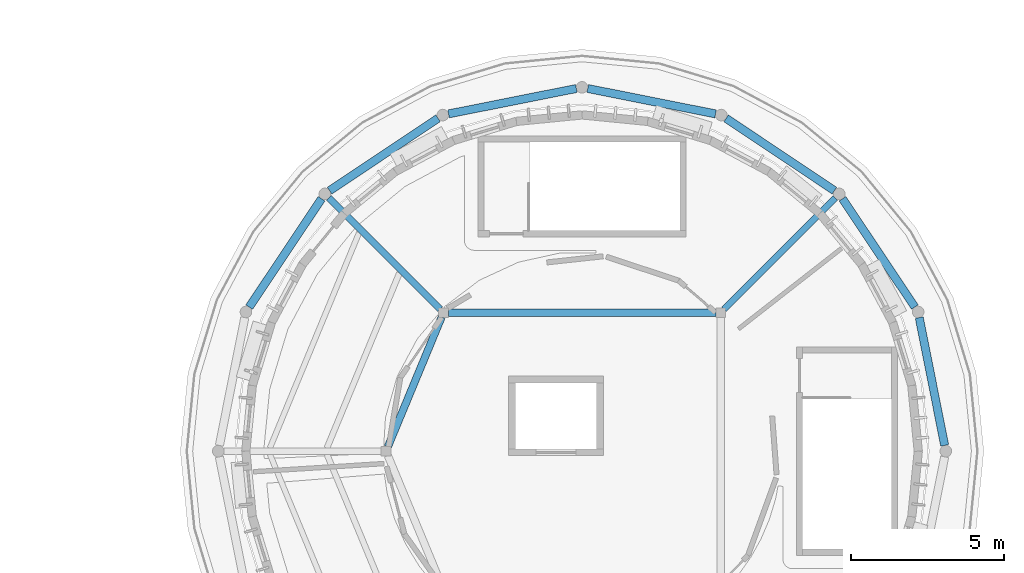
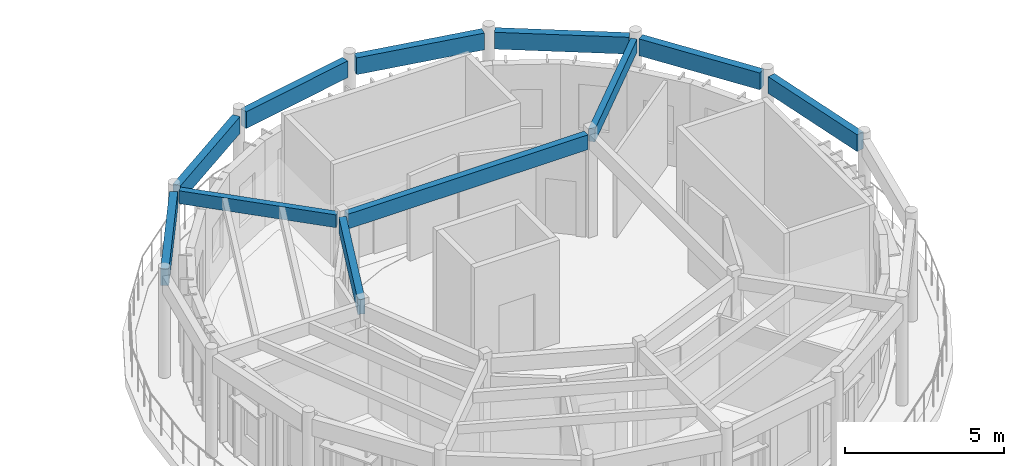
# One storey, part 10 of 37: 11 beams.
"""IFC4 building model written with IfcOpenShell, lengths in metres."""

from ifc_helpers import new_model, si_unit, direction, frame, origin, origin_2d, place, context, subcontext, project, spatial, rectangle, extrude, material, material_profile, profile_set, type_object, element, save


model = new_model("IFC4")

# Units and contexts
model_context = context("Model", 3, precision=1e-05, world=origin(), true_north=direction((0.0, 1.0)))
body_context = subcontext(model_context, "Body", "Model", "MODEL_VIEW")
ifc_project = project(units=[si_unit("LENGTHUNIT", "METRE"), si_unit("AREAUNIT", "SQUARE_METRE"), si_unit("VOLUMEUNIT", "CUBIC_METRE"), si_unit("PLANEANGLEUNIT", "RADIAN"), si_unit("MASSUNIT", "GRAM", prefix="KILO")], contexts=[model_context])

# Site, building, storey
site_placement = place(None, origin())
site = spatial("IfcSite", under=ifc_project, at=site_placement, CompositionType="ELEMENT")
building_placement = place(site_placement, origin())
building = spatial("IfcBuilding", under=site, at=building_placement, Name="Aldenvaro Health Centre", CompositionType="ELEMENT")
storey_placement = place(building_placement, frame((0.0, 0.0, 12.949951171875)))
storey = spatial("IfcBuildingStorey", under=building, at=storey_placement, Name="L03", CompositionType="ELEMENT", Elevation=12.949951171875)

# Beams
ifc_material = material(Name="Glulam GL28h", Category="wood")
ifc_material_profile_1 = material_profile(ifc_material, rectangle(XDim=0.215087890625, YDim=0.493896484375, at=origin_2d()), Name="GL 215x494", Category="wood")
ifc_profile_set_1 = profile_set([ifc_material_profile_1], Name="Glulam GL28h")
beam_type_1 = type_object("IfcBeamType", Name="BM-GL-494", PredefinedType="BEAM", material=ifc_profile_set_1)
for number, where, z_axis, x_axis, name in (
    (1, (159.135986328125, 104.135986328125, 3.713134765625), (0.707106781187, 0.707106781187, 0.0), (-0.707106781187, 0.707106781187, 0.0), "D2 L03 radial beam 01"),
    (2, (149.864013671875, 104.135986328125, 3.713134765625), (-0.707106781187, 0.707106781187, 0.0), (-0.707106781187, -0.707106781187, 0.0), "D2 L03 radial beam 02"),
):
    element("IfcBeam", number, at=place(storey_placement, frame(where, z_axis=z_axis, x_axis=x_axis)), inside=storey, type_object=beam_type_1, Name=name, PredefinedType="BEAM", context=body_context, shape_type="SweptSolid", body=[
        extrude(rectangle(XDim=0.215087890625, YDim=0.493896484375, at=origin_2d()), origin(), (0.0, 0.0, 1.0), 5.1337890625),
    ])
ifc_material_profile_2 = material_profile(ifc_material, rectangle(XDim=0.239990234375, YDim=0.570068359375, at=origin_2d()), Name="GL 240x570", Category="wood")
ifc_profile_set_2 = profile_set([ifc_material_profile_2], Name="Glulam GL28h")
beam_type_2 = type_object("IfcBeamType", Name="BM-GL-570", PredefinedType="BEAM", material=ifc_profile_set_2)
beam_1_placement = place(storey_placement, frame((158.867919921875, 104.02490234375, 3.675048828125), z_axis=(-1.0, 0.0, 0.0), x_axis=(0.0, -1.0, 0.0)))
element("IfcBeam", 3, at=beam_1_placement, inside=storey, type_object=beam_type_2, Name="D2 L03 inner ring beam 01", PredefinedType="BEAM", context=body_context, shape_type="SweptSolid", body=[
    extrude(rectangle(XDim=0.239990234375, YDim=0.570068359375, at=origin_2d()), origin(), (0.0, 0.0, 1.0), 8.73583984375),
])
beam_2_placement = place(storey_placement, frame((149.9150390625, 103.87890625, 3.675048828125), z_axis=(-0.383018349217, -0.923740734277, 0.0), x_axis=(0.923740734277, -0.383018349217, 0.0)))
element("IfcBeam", 4, at=beam_2_placement, inside=storey, type_object=beam_type_2, Name="D2 L03 inner ring beam 02", PredefinedType="BEAM", context=body_context, shape_type="SweptSolid", body=[
    extrude(rectangle(XDim=0.239990234375, YDim=0.570068359375, at=origin_2d()), origin(), (0.0, 0.0, 1.0), 4.582275390625),
])
ifc_material_profile_3 = material_profile(ifc_material, rectangle(XDim=0.264892578125, YDim=0.64599609375, at=origin_2d()), Name="GL 265x646", Category="wood")
ifc_profile_set_3 = profile_set([ifc_material_profile_3], Name="Glulam GL28h")
beam_type_3 = type_object("IfcBeamType", Name="BM-GL-646", PredefinedType="SPANDREL", material=ifc_profile_set_3)
beam_3_placement = place(storey_placement, frame((166.343017578125, 99.68603515625, 3.636962890625), z_axis=(-0.195045913516, 0.980794112758, 0.0), x_axis=(-0.980794112758, -0.195045913516, 0.0)))
element("IfcBeam", 5, at=beam_3_placement, inside=storey, type_object=beam_type_3, Name="D2 L03 perimeter spandrel 01", PredefinedType="SPANDREL", context=body_context, shape_type="SweptSolid", body=[
    extrude(rectangle(XDim=0.264892578125, YDim=0.64599609375, at=origin_2d()), origin(), (0.0, 0.0, 1.0), 4.255859375),
])
for number, where, z_axis, x_axis, name in (
    (6, (165.3701171875, 104.2041015625, 3.636962890625), (-0.55558702646, 0.831458391039, 0.0), (-0.831458391039, -0.55558702646, 0.0), "D2 L03 perimeter spandrel 02"),
    (7, (162.741943359375, 108.006103515625, 3.636962890625), (-0.831458391039, 0.55558702646, 0.0), (-0.55558702646, -0.831458391039, 0.0), "D2 L03 perimeter spandrel 03"),
):
    element("IfcBeam", number, at=place(storey_placement, frame(where, z_axis=z_axis, x_axis=x_axis)), inside=storey, type_object=beam_type_3, Name=name, PredefinedType="SPANDREL", context=body_context, shape_type="SweptSolid", body=[
        extrude(rectangle(XDim=0.264892578125, YDim=0.64599609375, at=origin_2d()), origin(), (0.0, 0.0, 1.0), 4.2548828125),
    ])
for number, where, z_axis, x_axis, name in (
    (8, (158.860107421875, 110.512939453125, 3.636962890625), (-0.980794112758, 0.195045913516, 0.0), (-0.195045913516, -0.980794112758, 0.0), "D2 L03 perimeter spandrel 04"),
    (9, (154.31396484375, 111.343017578125, 3.636962890625), (-0.980794112758, -0.195045913516, 0.0), (0.195045913516, -0.980794112758, 0.0), "D2 L03 perimeter spandrel 05"),
):
    element("IfcBeam", number, at=place(storey_placement, frame(where, z_axis=z_axis, x_axis=x_axis)), inside=storey, type_object=beam_type_3, Name=name, PredefinedType="SPANDREL", context=body_context, shape_type="SweptSolid", body=[
        extrude(rectangle(XDim=0.264892578125, YDim=0.64599609375, at=origin_2d()), origin(), (0.0, 0.0, 1.0), 4.255859375),
    ])
for number, where, z_axis, x_axis, name in (
    (10, (149.7958984375, 110.3701171875, 3.636962890625), (-0.831458391039, -0.55558702646, 0.0), (0.55558702646, -0.831458391039, 0.0), "D2 L03 perimeter spandrel 06"),
    (11, (145.993896484375, 107.741943359375, 3.636962890625), (-0.55558702646, -0.831458391039, 0.0), (0.831458391039, -0.55558702646, 0.0), "D2 L03 perimeter spandrel 07"),
):
    element("IfcBeam", number, at=place(storey_placement, frame(where, z_axis=z_axis, x_axis=x_axis)), inside=storey, type_object=beam_type_3, Name=name, PredefinedType="SPANDREL", context=body_context, shape_type="SweptSolid", body=[
        extrude(rectangle(XDim=0.264892578125, YDim=0.64599609375, at=origin_2d()), origin(), (0.0, 0.0, 1.0), 4.2548828125),
    ])

save(model, "model.ifc")
